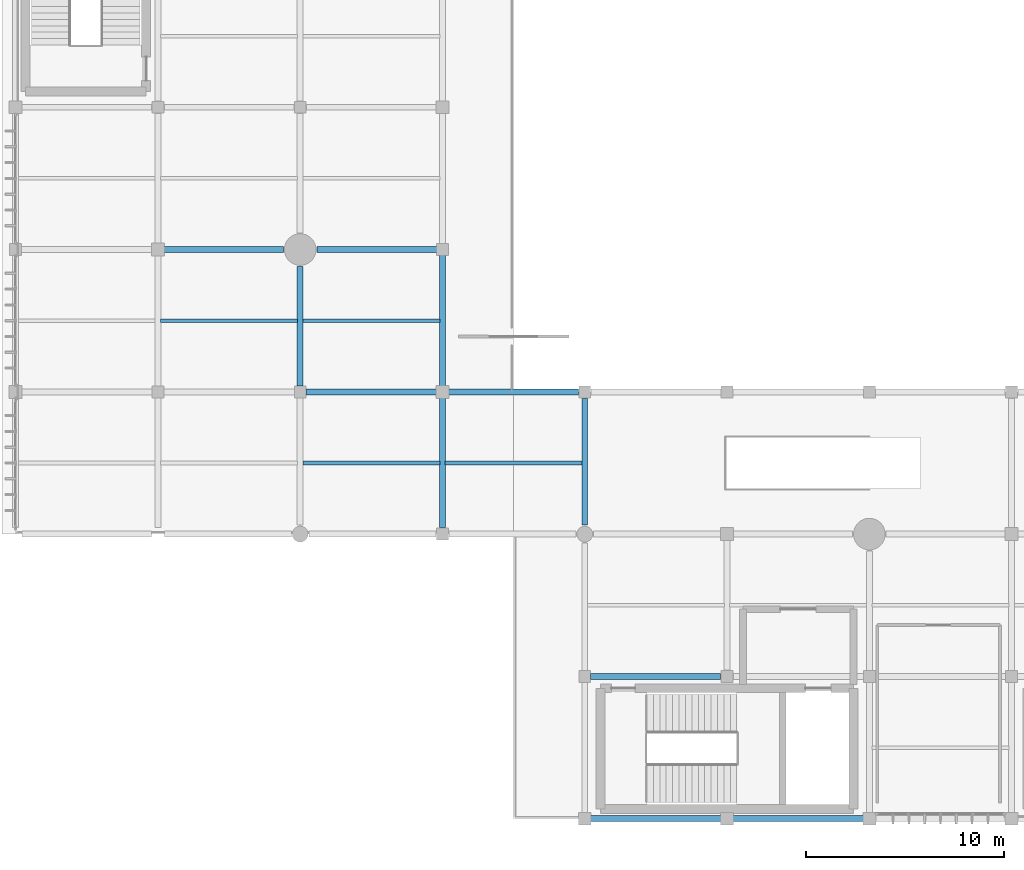
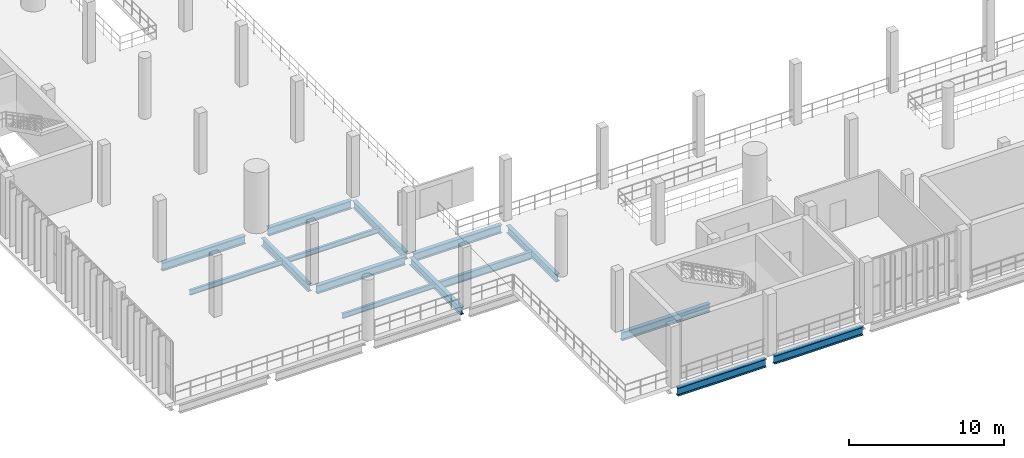
# One storey, part 8 of 105: 15 beams.
"""IFC4 building model written with IfcOpenShell, lengths in metres."""

from ifc_helpers import new_model, si_unit, direction, frame, origin, origin_2d, place, context, subcontext, project, spatial, i_section, extrude, material, material_profile, profile_set, type_object, element, save


model = new_model("IFC4")

# Units and contexts
model_context = context("Model", 3, precision=1e-05, world=origin(), true_north=direction((0.0, 1.0)))
body_context = subcontext(model_context, "Body", "Model", "MODEL_VIEW")
ifc_project = project(units=[si_unit("LENGTHUNIT", "METRE"), si_unit("AREAUNIT", "SQUARE_METRE"), si_unit("VOLUMEUNIT", "CUBIC_METRE"), si_unit("PLANEANGLEUNIT", "RADIAN"), si_unit("MASSUNIT", "GRAM", prefix="KILO")], contexts=[model_context])

# Site, building, storey
site_placement = place(None, origin())
site = spatial("IfcSite", under=ifc_project, at=site_placement, CompositionType="ELEMENT")
building_placement = place(site_placement, origin())
building = spatial("IfcBuilding", under=site, at=building_placement, Name="Qandorah Velis Arena", CompositionType="ELEMENT")
storey_placement = place(building_placement, frame((0.0, 0.0, 13.800048828125)))
storey = spatial("IfcBuildingStorey", under=building, at=storey_placement, Name="L03", CompositionType="ELEMENT", Elevation=13.800048828125)

# Beams
ifc_material = material(Name="Steel S355", Category="steel")
ifc_material_profile_1 = material_profile(ifc_material, i_section(OverallWidth=0.300048828125, OverallDepth=0.60009765625, WebThickness=0.015380859375, FlangeThickness=0.030029296875, FilletRadius=0.027099609375, at=origin_2d()), Name="HEB 600")
ifc_profile_set_1 = profile_set([ifc_material_profile_1], Name="Steel S355")
beam_type_1 = type_object("IfcBeamType", Name="STR-BM-HEB600", PredefinedType="BEAM", material=ifc_profile_set_1)
beam_1_placement = place(storey_placement, frame((14.39990234375, 21.89990234375, -0.6201171875), z_axis=(0.0, 1.0, 0.0), x_axis=(-1.0, 0.0, 0.0)))
element("IfcBeam", 1, at=beam_1_placement, inside=storey, type_object=beam_type_1, Name="Primary floor girder L03 Y-207", PredefinedType="BEAM", context=body_context, shape_type="SweptSolid", body=[
    extrude(i_section(OverallWidth=0.300048828125, OverallDepth=0.60009765625, WebThickness=0.015380859375, FlangeThickness=0.030029296875, FilletRadius=0.027099609375, at=origin_2d()), origin(), (0.0, 0.0, 1.0), 6.050048828125),
])
beam_2_placement = place(storey_placement, frame((21.60009765625, 14.72509765625, -0.6201171875), z_axis=(0.0, 1.0, 0.0), x_axis=(-1.0, 0.0, 0.0)))
element("IfcBeam", 2, at=beam_2_placement, inside=storey, type_object=beam_type_1, Name="Primary floor girder L03 Y-220", PredefinedType="BEAM", context=body_context, shape_type="SweptSolid", body=[
    extrude(i_section(OverallWidth=0.300048828125, OverallDepth=0.60009765625, WebThickness=0.015380859375, FlangeThickness=0.030029296875, FilletRadius=0.027099609375, at=origin_2d()), origin(), (0.0, 0.0, 1.0), 6.574951171875),
])
beam_3_placement = place(storey_placement, frame((21.60009765625, 21.89990234375, -0.6201171875), z_axis=(0.0, 1.0, 0.0), x_axis=(-1.0, 0.0, 0.0)))
element("IfcBeam", 3, at=beam_3_placement, inside=storey, type_object=beam_type_1, Name="Primary floor girder L03 Y-221", PredefinedType="BEAM", context=body_context, shape_type="SweptSolid", body=[
    extrude(i_section(OverallWidth=0.300048828125, OverallDepth=0.60009765625, WebThickness=0.015380859375, FlangeThickness=0.030029296875, FilletRadius=0.027099609375, at=origin_2d()), origin(), (0.0, 0.0, 1.0), 6.75),
])
beam_4_placement = place(storey_placement, frame((28.800048828125, 14.85009765625, -0.6201171875), z_axis=(0.0, 1.0, 0.0), x_axis=(-1.0, 0.0, 0.0)))
element("IfcBeam", 4, at=beam_4_placement, inside=storey, type_object=beam_type_1, Name="Primary floor girder L03 Y-236", PredefinedType="BEAM", context=body_context, shape_type="SweptSolid", body=[
    extrude(i_section(OverallWidth=0.300048828125, OverallDepth=0.60009765625, WebThickness=0.015380859375, FlangeThickness=0.030029296875, FilletRadius=0.027099609375, at=origin_2d()), origin(), (0.0, 0.0, 1.0), 6.4248046875),
])
ifc_material_profile_2 = material_profile(ifc_material, i_section(OverallWidth=0.300048828125, OverallDepth=0.64990234375, WebThickness=0.01611328125, FlangeThickness=0.031005859375, FilletRadius=0.027099609375, at=origin_2d()), Name="HEB 650")
ifc_profile_set_2 = profile_set([ifc_material_profile_2], Name="Steel S355")
beam_type_2 = type_object("IfcBeamType", Name="STR-BM-HEB650", PredefinedType="BEAM", material=ifc_profile_set_2)
for number, where, z_axis, x_axis, name in (
    (5, (29.10009765625, 0.0, -0.64501953125), (1.0, 0.0, 0.0), (0.0, 1.0, 0.0), "Primary floor girder L03 X-001"),
    (6, (36.300048828125, 0.0, -0.64501953125), (1.0, 0.0, 0.0), (0.0, 1.0, 0.0), "Primary floor girder L03 X-002"),
):
    element("IfcBeam", number, at=place(storey_placement, frame(where, z_axis=z_axis, x_axis=x_axis)), inside=storey, type_object=beam_type_2, Name=name, PredefinedType="BEAM", context=body_context, shape_type="SweptSolid", body=[
        extrude(i_section(OverallWidth=0.300048828125, OverallDepth=0.64990234375, WebThickness=0.01611328125, FlangeThickness=0.031005859375, FilletRadius=0.027099609375, at=origin_2d()), origin(), (0.0, 0.0, 1.0), 6.599853515625),
    ])
beam_5_placement = place(storey_placement, frame((29.10009765625, 7.199951171875, -0.64501953125), z_axis=(1.0, 0.0, 0.0), x_axis=(0.0, 1.0, 0.0)))
element("IfcBeam", 7, at=beam_5_placement, inside=storey, type_object=beam_type_2, Name="Primary floor girder L03 X-013", PredefinedType="BEAM", context=body_context, shape_type="SweptSolid", body=[
    extrude(i_section(OverallWidth=0.300048828125, OverallDepth=0.64990234375, WebThickness=0.01611328125, FlangeThickness=0.031005859375, FilletRadius=0.027099609375, at=origin_2d()), origin(), (0.0, 0.0, 1.0), 6.574951171875),
])
beam_6_placement = place(storey_placement, frame((14.699951171875, 21.60009765625, -0.64501953125), z_axis=(1.0, 0.0, 0.0), x_axis=(0.0, 1.0, 0.0)))
element("IfcBeam", 8, at=beam_6_placement, inside=storey, type_object=beam_type_2, Name="Primary floor girder L03 X-043", PredefinedType="BEAM", context=body_context, shape_type="SweptSolid", body=[
    extrude(i_section(OverallWidth=0.300048828125, OverallDepth=0.64990234375, WebThickness=0.01611328125, FlangeThickness=0.031005859375, FilletRadius=0.027099609375, at=origin_2d()), origin(), (0.0, 0.0, 1.0), 6.60009765625),
])
beam_7_placement = place(storey_placement, frame((21.89990234375, 21.60009765625, -0.64501953125), z_axis=(1.0, 0.0, 0.0), x_axis=(0.0, 1.0, 0.0)))
element("IfcBeam", 9, at=beam_7_placement, inside=storey, type_object=beam_type_2, Name="Primary floor girder L03 X-044", PredefinedType="BEAM", context=body_context, shape_type="SweptSolid", body=[
    extrude(i_section(OverallWidth=0.300048828125, OverallDepth=0.64990234375, WebThickness=0.01611328125, FlangeThickness=0.031005859375, FilletRadius=0.027099609375, at=origin_2d()), origin(), (0.0, 0.0, 1.0), 6.5751953125),
])
for number, where, z_axis, x_axis, name in (
    (10, (7.35009765625, 28.800048828125, -0.64501953125), (1.0, 0.0, 0.0), (0.0, 1.0, 0.0), "Primary floor girder L03 X-058"),
    (11, (15.25, 28.800048828125, -0.64501953125), (1.0, 0.0, 0.0), (0.0, 1.0, 0.0), "Primary floor girder L03 X-059"),
):
    element("IfcBeam", number, at=place(storey_placement, frame(where, z_axis=z_axis, x_axis=x_axis)), inside=storey, type_object=beam_type_2, Name=name, PredefinedType="BEAM", context=body_context, shape_type="SweptSolid", body=[
        extrude(i_section(OverallWidth=0.300048828125, OverallDepth=0.64990234375, WebThickness=0.01611328125, FlangeThickness=0.031005859375, FilletRadius=0.027099609375, at=origin_2d()), origin(), (0.0, 0.0, 1.0), 6.199951171875),
    ])
ifc_material_profile_3 = material_profile(ifc_material, i_section(OverallWidth=0.179931640625, OverallDepth=0.39990234375, WebThickness=0.008544921875, FlangeThickness=0.013427734375, FilletRadius=0.02099609375, at=origin_2d()), Name="IPE 400")
ifc_profile_set_3 = profile_set([ifc_material_profile_3], Name="Steel S355")
beam_type_3 = type_object("IfcBeamType", Name="STR-JST-IPE400", PredefinedType="JOIST", material=ifc_profile_set_3)
beam_8_placement = place(storey_placement, frame((7.3349609375, 25.199951171875, -0.52001953125), z_axis=(1.0, 0.0, 0.0), x_axis=(0.0, 1.0, 0.0)))
element("IfcBeam", 12, at=beam_8_placement, inside=storey, type_object=beam_type_3, Name="Secondary floor joist L03-012", PredefinedType="JOIST", context=body_context, shape_type="SweptSolid", body=[
    extrude(i_section(OverallWidth=0.179931640625, OverallDepth=0.39990234375, WebThickness=0.008544921875, FlangeThickness=0.013427734375, FilletRadius=0.02099609375, at=origin_2d()), origin(), (0.0, 0.0, 1.0), 6.929931640625),
])
for number, where, z_axis, x_axis, name in (
    (13, (14.534912109375, 18.0, -0.52001953125), (1.0, 0.0, 0.0), (0.0, 1.0, 0.0), "Secondary floor joist L03-025"),
    (14, (14.534912109375, 25.199951171875, -0.52001953125), (1.0, 0.0, 0.0), (0.0, 1.0, 0.0), "Secondary floor joist L03-026"),
):
    element("IfcBeam", number, at=place(storey_placement, frame(where, z_axis=z_axis, x_axis=x_axis)), inside=storey, type_object=beam_type_3, Name=name, PredefinedType="JOIST", context=body_context, shape_type="SweptSolid", body=[
        extrude(i_section(OverallWidth=0.179931640625, OverallDepth=0.39990234375, WebThickness=0.008544921875, FlangeThickness=0.013427734375, FilletRadius=0.02099609375, at=origin_2d()), origin(), (0.0, 0.0, 1.0), 6.93017578125),
    ])
ifc_material_profile_4 = material_profile(ifc_material, i_section(OverallWidth=0.219970703125, OverallDepth=0.60009765625, WebThickness=0.011962890625, FlangeThickness=0.01904296875, FilletRadius=0.02392578125, at=origin_2d()), Name="IPE 600")
ifc_profile_set_4 = profile_set([ifc_material_profile_4], Name="Steel S355")
beam_type_4 = type_object("IfcBeamType", Name="STR-JST-IPE600", PredefinedType="JOIST", material=ifc_profile_set_4)
beam_9_placement = place(storey_placement, frame((21.735107421875, 18.0, -0.6201171875), z_axis=(1.0, 0.0, 0.0), x_axis=(0.0, 1.0, 0.0)))
element("IfcBeam", 15, at=beam_9_placement, inside=storey, type_object=beam_type_4, Name="Secondary floor joist L03-037", PredefinedType="JOIST", context=body_context, shape_type="SweptSolid", body=[
    extrude(i_section(OverallWidth=0.219970703125, OverallDepth=0.60009765625, WebThickness=0.011962890625, FlangeThickness=0.01904296875, FilletRadius=0.02392578125, at=origin_2d()), origin(), (0.0, 0.0, 1.0), 6.929931640625),
])

save(model, "model.ifc")
